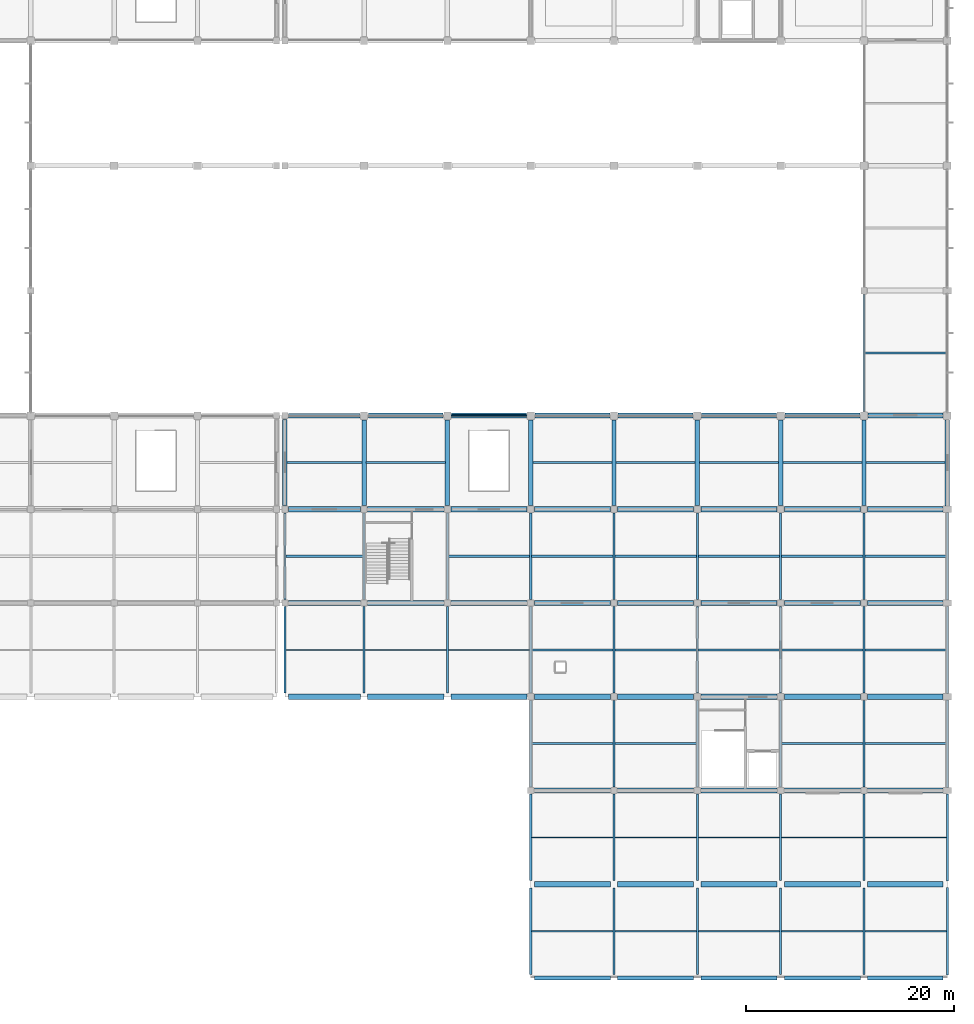
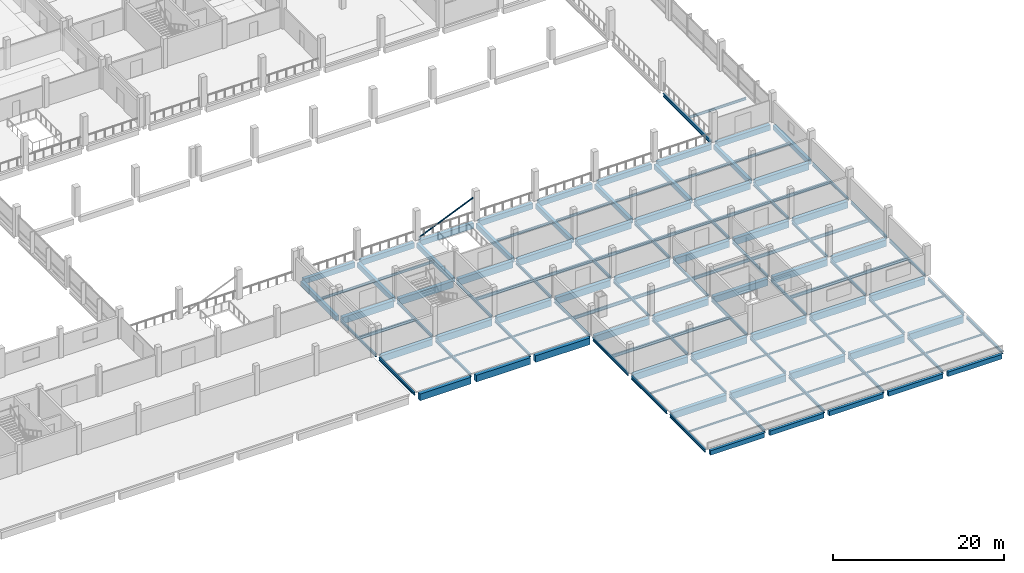
# One storey, part 24 of 57: 130 beams, 1 member.
"""IFC4 building model written with IfcOpenShell, lengths in metres."""

from ifc_helpers import new_model, si_unit, direction, frame, origin, origin_2d, place, context, subcontext, project, spatial, rectangle, hollow_circle, i_section, extrude, material, material_profile, profile_set, type_object, element, save


model = new_model("IFC4")

# Units and contexts
model_context = context("Model", 3, precision=1e-05, world=origin(), true_north=direction((0.0, 1.0)))
body_context = subcontext(model_context, "Body", "Model", "MODEL_VIEW")
ifc_project = project(units=[si_unit("LENGTHUNIT", "METRE"), si_unit("AREAUNIT", "SQUARE_METRE"), si_unit("VOLUMEUNIT", "CUBIC_METRE"), si_unit("PLANEANGLEUNIT", "RADIAN"), si_unit("MASSUNIT", "GRAM", prefix="KILO"), si_unit("THERMODYNAMICTEMPERATUREUNIT", "KELVIN"), si_unit("POWERUNIT", "WATT")], contexts=[model_context])

# Site, building, storey
site_placement = place(None, origin())
site = spatial("IfcSite", under=ifc_project, at=site_placement, CompositionType="ELEMENT")
building_placement = place(site_placement, origin())
building = spatial("IfcBuilding", under=site, at=building_placement, Name="Kronsvod Quay Wholesale Market", CompositionType="ELEMENT")
storey_placement = place(building_placement, frame((0.0, 0.0, 4.800048828125)))
storey = spatial("IfcBuildingStorey", under=building, at=storey_placement, Name="L01", CompositionType="ELEMENT", Elevation=4.800048828125)

# Beams
ifc_material_1 = material(Name="Precast concrete C40/50", Category="concrete")
ifc_material_profile_1 = material_profile(ifc_material_1, rectangle(XDim=0.419921875, YDim=0.679931640625, at=origin_2d()), Name="PB-05")
ifc_profile_set_1 = profile_set([ifc_material_profile_1], Name="Precast concrete C40/50")
beam_type_1 = type_object("IfcBeamType", Name="Beam_PCB420x680", PredefinedType="BEAM", material=ifc_profile_set_1)
beam_1_placement = place(storey_placement, frame((128.39990234375, 45.35009765625, -0.64013671875), z_axis=(0.0, 1.0, 0.0), x_axis=(-1.0, 0.0, 0.0)))
element("IfcBeam", 1, at=beam_1_placement, inside=storey, type_object=beam_type_1, Name="BMY-L01-1284-450", PredefinedType="BEAM", context=body_context, shape_type="SweptSolid", body=[
    extrude(rectangle(XDim=0.419921875, YDim=0.679931640625, at=origin_2d()), origin(), (0.0, 0.0, 1.0), 8.2998046875),
])
for number, where, z_axis, x_axis, name in (
    (2, (136.0, 45.35009765625, -0.64013671875), (0.0, 1.0, 0.0), (-1.0, 0.0, 0.0), "BMY-L01-1360-450"),
    (3, (144.0, 45.35009765625, -0.64013671875), (0.0, 1.0, 0.0), (-1.0, 0.0, 0.0), "BMY-L01-1440-450"),
    (4, (152.0, 45.35009765625, -0.64013671875), (0.0, 1.0, 0.0), (-1.0, 0.0, 0.0), "BMY-L01-1520-450"),
    (5, (160.0, 45.35009765625, -0.64013671875), (0.0, 1.0, 0.0), (-1.0, 0.0, 0.0), "BMY-L01-1600-450"),
    (6, (168.0, 45.35009765625, -0.64013671875), (0.0, 1.0, 0.0), (-1.0, 0.0, 0.0), "BMY-L01-1680-450"),
    (7, (176.0, 45.35009765625, -0.64013671875), (0.0, 1.0, 0.0), (-1.0, 0.0, 0.0), "BMY-L01-1760-450"),
    (8, (184.0, 45.35009765625, -0.64013671875), (0.0, 1.0, 0.0), (-1.0, 0.0, 0.0), "BMY-L01-1840-450"),
):
    element("IfcBeam", number, at=place(storey_placement, frame(where, z_axis=z_axis, x_axis=x_axis)), inside=storey, type_object=beam_type_1, Name=name, PredefinedType="BEAM", context=body_context, shape_type="SweptSolid", body=[
        extrude(rectangle(XDim=0.419921875, YDim=0.679931640625, at=origin_2d()), origin(), (0.0, 0.0, 1.0), 8.25),
    ])
beam_2_placement = place(storey_placement, frame((192.0, 45.31005859375, -0.64013671875), z_axis=(0.0, 1.0, 0.0), x_axis=(-1.0, 0.0, 0.0)))
element("IfcBeam", 9, at=beam_2_placement, inside=storey, type_object=beam_type_1, Name="BMY-L01-1920-450", PredefinedType="BEAM", context=body_context, shape_type="SweptSolid", body=[
    extrude(rectangle(XDim=0.419921875, YDim=0.679931640625, at=origin_2d()), origin(), (0.0, 0.0, 1.0), 8.2900390625),
])
ifc_material_2 = material(Name="Precast concrete C40/50", Category="concrete")
ifc_material_profile_2 = material_profile(ifc_material_2, rectangle(XDim=0.449951171875, YDim=0.75, at=origin_2d()), Name="PCB450x750")
ifc_profile_set_2 = profile_set([ifc_material_profile_2], Name="Precast concrete C40/50")
beam_type_2 = type_object("IfcBeamType", Name="Beam_PCB450x750", PredefinedType="BEAM", material=ifc_profile_set_2)
beam_3_placement = place(storey_placement, frame((128.75, 54.0, -0.675048828125), z_axis=(1.0, 0.0, 0.0), x_axis=(0.0, 1.0, 0.0)))
element("IfcBeam", 10, at=beam_3_placement, inside=storey, type_object=beam_type_2, Name="BMX-L01-1284-540", PredefinedType="BEAM", context=body_context, shape_type="SweptSolid", body=[
    extrude(rectangle(XDim=0.449951171875, YDim=0.75, at=origin_2d()), origin(), (0.0, 0.0, 1.0), 6.85009765625),
])
ifc_material_3 = material(Name="Precast concrete C40/50", Category="concrete")
ifc_material_profile_3 = material_profile(ifc_material_3, rectangle(XDim=0.4599609375, YDim=0.780029296875, at=origin_2d()), Name="PB-03")
ifc_profile_set_3 = profile_set([ifc_material_profile_3], Name="Precast concrete C40/50")
beam_type_3 = type_object("IfcBeamType", Name="Beam_PCB460x780", PredefinedType="BEAM", material=ifc_profile_set_3)
for number, where, z_axis, x_axis, name in (
    (11, (136.39990234375, 54.0, -0.68994140625), (1.0, 0.0, 0.0), (0.0, 1.0, 0.0), "BMX-L01-1360-540"),
    (12, (144.39990234375, 54.0, -0.68994140625), (1.0, 0.0, 0.0), (0.0, 1.0, 0.0), "BMX-L01-1440-540"),
    (13, (152.39990234375, 54.0, -0.68994140625), (1.0, 0.0, 0.0), (0.0, 1.0, 0.0), "BMX-L01-1520-540"),
    (14, (160.39990234375, 54.0, -0.68994140625), (1.0, 0.0, 0.0), (0.0, 1.0, 0.0), "BMX-L01-1600-540"),
    (15, (168.39990234375, 54.0, -0.68994140625), (1.0, 0.0, 0.0), (0.0, 1.0, 0.0), "BMX-L01-1680-540"),
    (16, (176.39990234375, 54.0, -0.68994140625), (1.0, 0.0, 0.0), (0.0, 1.0, 0.0), "BMX-L01-1760-540"),
    (17, (184.39990234375, 54.0, -0.68994140625), (1.0, 0.0, 0.0), (0.0, 1.0, 0.0), "BMX-L01-1840-540"),
):
    element("IfcBeam", number, at=place(storey_placement, frame(where, z_axis=z_axis, x_axis=x_axis)), inside=storey, type_object=beam_type_3, Name=name, PredefinedType="BEAM", context=body_context, shape_type="SweptSolid", body=[
        extrude(rectangle(XDim=0.4599609375, YDim=0.780029296875, at=origin_2d()), origin(), (0.0, 0.0, 1.0), 7.2001953125),
    ])
ifc_material_4 = material(Name="Steel S355", Category="steel")
ifc_material_profile_4 = material_profile(ifc_material_4, i_section(OverallWidth=0.125, OverallDepth=0.25, WebThickness=0.006103515625, FlangeThickness=0.009033203125, FilletRadius=0.011962890625, at=origin_2d()), Name="25B2")
ifc_profile_set_4 = profile_set([ifc_material_profile_4], Name="Steel S355")
beam_type_4 = type_object("IfcBeamType", Name="Beam_Steel25B2", PredefinedType="BEAM", material=ifc_profile_set_4)
beam_4_placement = place(storey_placement, frame((128.4951171875, 31.5, -0.31494140625), z_axis=(1.0, 0.0, 0.0), x_axis=(0.0, 1.0, 0.0)))
element("IfcBeam", 18, at=beam_4_placement, inside=storey, type_object=beam_type_4, Name="JSTX-L01-1284-270", PredefinedType="BEAM", context=body_context, shape_type="SweptSolid", body=[
    extrude(i_section(OverallWidth=0.125, OverallDepth=0.25, WebThickness=0.006103515625, FlangeThickness=0.009033203125, FilletRadius=0.011962890625, at=origin_2d()), origin(), (0.0, 0.0, 1.0), 7.409912109375),
])
for number, where, z_axis, x_axis, name in (
    (19, (136.094970703125, 31.5, -0.31494140625), (1.0, 0.0, 0.0), (0.0, 1.0, 0.0), "JSTX-L01-1360-270"),
    (20, (144.094970703125, 31.5, -0.31494140625), (1.0, 0.0, 0.0), (0.0, 1.0, 0.0), "JSTX-L01-1440-270"),
    (21, (152.094970703125, 4.5, -0.31494140625), (1.0, 0.0, 0.0), (0.0, 1.0, 0.0), "JSTX-L01-1520-0"),
    (22, (152.094970703125, 13.5, -0.31494140625), (1.0, 0.0, 0.0), (0.0, 1.0, 0.0), "JSTX-L01-1520-90"),
    (23, (160.094970703125, 4.5, -0.31494140625), (1.0, 0.0, 0.0), (0.0, 1.0, 0.0), "JSTX-L01-1600-0"),
    (24, (160.094970703125, 13.5, -0.31494140625), (1.0, 0.0, 0.0), (0.0, 1.0, 0.0), "JSTX-L01-1600-90"),
    (25, (168.094970703125, 4.5, -0.31494140625), (1.0, 0.0, 0.0), (0.0, 1.0, 0.0), "JSTX-L01-1680-0"),
    (26, (168.094970703125, 13.5, -0.31494140625), (1.0, 0.0, 0.0), (0.0, 1.0, 0.0), "JSTX-L01-1680-90"),
    (27, (176.094970703125, 4.5, -0.31494140625), (1.0, 0.0, 0.0), (0.0, 1.0, 0.0), "JSTX-L01-1760-0"),
    (28, (176.094970703125, 13.5, -0.31494140625), (1.0, 0.0, 0.0), (0.0, 1.0, 0.0), "JSTX-L01-1760-90"),
    (29, (184.094970703125, 4.5, -0.31494140625), (1.0, 0.0, 0.0), (0.0, 1.0, 0.0), "JSTX-L01-1840-0"),
    (30, (184.094970703125, 13.5, -0.31494140625), (1.0, 0.0, 0.0), (0.0, 1.0, 0.0), "JSTX-L01-1840-90"),
):
    element("IfcBeam", number, at=place(storey_placement, frame(where, z_axis=z_axis, x_axis=x_axis)), inside=storey, type_object=beam_type_4, Name=name, PredefinedType="BEAM", context=body_context, shape_type="SweptSolid", body=[
        extrude(i_section(OverallWidth=0.125, OverallDepth=0.25, WebThickness=0.006103515625, FlangeThickness=0.009033203125, FilletRadius=0.011962890625, at=origin_2d()), origin(), (0.0, 0.0, 1.0), 7.81005859375),
    ])
ifc_material_5 = material(Name="Steel S355", Category="steel")
ifc_material_profile_5 = material_profile(ifc_material_5, i_section(OverallWidth=0.199951171875, OverallDepth=0.39990234375, WebThickness=0.008056640625, FlangeThickness=0.012939453125, FilletRadius=0.01611328125, at=origin_2d()), Name="40B2")
ifc_profile_set_5 = profile_set([ifc_material_profile_5], Name="Steel S355")
beam_type_5 = type_object("IfcBeamType", Name="Beam_Steel40B2", PredefinedType="BEAM", material=ifc_profile_set_5)
for number, where, z_axis, x_axis, name in (
    (31, (128.39990234375, 27.35009765625, -0.5), (0.0, 1.0, 0.0), (-1.0, 0.0, 0.0), "BMY-L01-1284-270"),
    (32, (128.39990234375, 36.35009765625, -0.5), (0.0, 1.0, 0.0), (-1.0, 0.0, 0.0), "BMY-L01-1284-360"),
    (33, (136.0, 27.35009765625, -0.5), (0.0, 1.0, 0.0), (-1.0, 0.0, 0.0), "BMY-L01-1360-270"),
    (34, (136.0, 36.35009765625, -0.5), (0.0, 1.0, 0.0), (-1.0, 0.0, 0.0), "BMY-L01-1360-360"),
    (35, (144.0, 27.35009765625, -0.5), (0.0, 1.0, 0.0), (-1.0, 0.0, 0.0), "BMY-L01-1440-270"),
    (36, (144.0, 36.35009765625, -0.5), (0.0, 1.0, 0.0), (-1.0, 0.0, 0.0), "BMY-L01-1440-360"),
    (37, (152.0, 0.35009765625, -0.5), (0.0, 1.0, 0.0), (-1.0, 0.0, 0.0), "BMY-L01-1520-0"),
    (38, (152.0, 9.35009765625, -0.5), (0.0, 1.0, 0.0), (-1.0, 0.0, 0.0), "BMY-L01-1520-90"),
    (39, (152.0, 18.35009765625, -0.5), (0.0, 1.0, 0.0), (-1.0, 0.0, 0.0), "BMY-L01-1520-180"),
    (40, (152.0, 27.35009765625, -0.5), (0.0, 1.0, 0.0), (-1.0, 0.0, 0.0), "BMY-L01-1520-270"),
    (41, (152.0, 36.35009765625, -0.5), (0.0, 1.0, 0.0), (-1.0, 0.0, 0.0), "BMY-L01-1520-360"),
    (42, (160.0, 0.35009765625, -0.5), (0.0, 1.0, 0.0), (-1.0, 0.0, 0.0), "BMY-L01-1600-0"),
    (43, (160.0, 9.35009765625, -0.5), (0.0, 1.0, 0.0), (-1.0, 0.0, 0.0), "BMY-L01-1600-90"),
    (44, (160.0, 18.35009765625, -0.5), (0.0, 1.0, 0.0), (-1.0, 0.0, 0.0), "BMY-L01-1600-180"),
    (45, (160.0, 27.35009765625, -0.5), (0.0, 1.0, 0.0), (-1.0, 0.0, 0.0), "BMY-L01-1600-270"),
    (46, (160.0, 36.35009765625, -0.5), (0.0, 1.0, 0.0), (-1.0, 0.0, 0.0), "BMY-L01-1600-360"),
    (47, (168.0, 0.35009765625, -0.5), (0.0, 1.0, 0.0), (-1.0, 0.0, 0.0), "BMY-L01-1680-0"),
    (48, (168.0, 9.35009765625, -0.5), (0.0, 1.0, 0.0), (-1.0, 0.0, 0.0), "BMY-L01-1680-90"),
    (49, (168.0, 18.35009765625, -0.5), (0.0, 1.0, 0.0), (-1.0, 0.0, 0.0), "BMY-L01-1680-180"),
    (50, (168.0, 27.35009765625, -0.5), (0.0, 1.0, 0.0), (-1.0, 0.0, 0.0), "BMY-L01-1680-270"),
    (51, (168.0, 36.35009765625, -0.5), (0.0, 1.0, 0.0), (-1.0, 0.0, 0.0), "BMY-L01-1680-360"),
    (52, (176.0, 0.35009765625, -0.5), (0.0, 1.0, 0.0), (-1.0, 0.0, 0.0), "BMY-L01-1760-0"),
    (53, (176.0, 9.35009765625, -0.5), (0.0, 1.0, 0.0), (-1.0, 0.0, 0.0), "BMY-L01-1760-90"),
    (54, (176.0, 18.35009765625, -0.5), (0.0, 1.0, 0.0), (-1.0, 0.0, 0.0), "BMY-L01-1760-180"),
    (55, (176.0, 27.35009765625, -0.5), (0.0, 1.0, 0.0), (-1.0, 0.0, 0.0), "BMY-L01-1760-270"),
    (56, (176.0, 36.35009765625, -0.5), (0.0, 1.0, 0.0), (-1.0, 0.0, 0.0), "BMY-L01-1760-360"),
    (57, (184.0, 0.35009765625, -0.5), (0.0, 1.0, 0.0), (-1.0, 0.0, 0.0), "BMY-L01-1840-0"),
    (58, (184.0, 9.35009765625, -0.5), (0.0, 1.0, 0.0), (-1.0, 0.0, 0.0), "BMY-L01-1840-90"),
    (59, (184.0, 18.35009765625, -0.5), (0.0, 1.0, 0.0), (-1.0, 0.0, 0.0), "BMY-L01-1840-180"),
    (60, (184.0, 27.35009765625, -0.5), (0.0, 1.0, 0.0), (-1.0, 0.0, 0.0), "BMY-L01-1840-270"),
    (61, (184.0, 36.35009765625, -0.5), (0.0, 1.0, 0.0), (-1.0, 0.0, 0.0), "BMY-L01-1840-360"),
):
    element("IfcBeam", number, at=place(storey_placement, frame(where, z_axis=z_axis, x_axis=x_axis)), inside=storey, type_object=beam_type_5, Name=name, PredefinedType="BEAM", context=body_context, shape_type="SweptSolid", body=[
        extrude(i_section(OverallWidth=0.199951171875, OverallDepth=0.39990234375, WebThickness=0.008056640625, FlangeThickness=0.012939453125, FilletRadius=0.01611328125, at=origin_2d()), origin(), (0.0, 0.0, 1.0), 8.2998046875),
    ])
for number, where, z_axis, x_axis, name in (
    (62, (192.0, 0.31005859375, -0.5), (0.0, 1.0, 0.0), (-1.0, 0.0, 0.0), "BMY-L01-1920-0"),
    (63, (192.0, 9.31005859375, -0.5), (0.0, 1.0, 0.0), (-1.0, 0.0, 0.0), "BMY-L01-1920-90"),
    (64, (192.0, 18.31005859375, -0.5), (0.0, 1.0, 0.0), (-1.0, 0.0, 0.0), "BMY-L01-1920-180"),
    (65, (192.0, 27.31005859375, -0.5), (0.0, 1.0, 0.0), (-1.0, 0.0, 0.0), "BMY-L01-1920-270"),
    (66, (192.0, 36.31005859375, -0.5), (0.0, 1.0, 0.0), (-1.0, 0.0, 0.0), "BMY-L01-1920-360"),
):
    element("IfcBeam", number, at=place(storey_placement, frame(where, z_axis=z_axis, x_axis=x_axis)), inside=storey, type_object=beam_type_5, Name=name, PredefinedType="BEAM", context=body_context, shape_type="SweptSolid", body=[
        extrude(i_section(OverallWidth=0.199951171875, OverallDepth=0.39990234375, WebThickness=0.008056640625, FlangeThickness=0.012939453125, FilletRadius=0.01611328125, at=origin_2d()), origin(), (0.0, 0.0, 1.0), 8.3798828125),
    ])
ifc_material_6 = material(Name="Steel S355", Category="steel")
ifc_material_profile_6 = material_profile(ifc_material_6, i_section(OverallWidth=0.199951171875, OverallDepth=0.449951171875, WebThickness=0.009033203125, FlangeThickness=0.013916015625, FilletRadius=0.01806640625, at=origin_2d()), Name="45B2")
ifc_profile_set_6 = profile_set([ifc_material_profile_6], Name="Steel S355")
beam_type_6 = type_object("IfcBeamType", Name="Beam_Steel45B2", PredefinedType="BEAM", material=ifc_profile_set_6)
beam_5_placement = place(storey_placement, frame((128.4951171875, 40.5, -0.525146484375), z_axis=(1.0, 0.0, 0.0), x_axis=(0.0, 1.0, 0.0)))
element("IfcBeam", 67, at=beam_5_placement, inside=storey, type_object=beam_type_6, Name="JSTX-L01-1284-360", PredefinedType="BEAM", context=body_context, shape_type="SweptSolid", body=[
    extrude(i_section(OverallWidth=0.199951171875, OverallDepth=0.449951171875, WebThickness=0.009033203125, FlangeThickness=0.013916015625, FilletRadius=0.01806640625, at=origin_2d()), origin(), (0.0, 0.0, 1.0), 7.409912109375),
])
for number, where, z_axis, x_axis, name in (
    (68, (144.094970703125, 40.5, -0.525146484375), (1.0, 0.0, 0.0), (0.0, 1.0, 0.0), "JSTX-L01-1440-360"),
    (69, (152.094970703125, 22.5, -0.525146484375), (1.0, 0.0, 0.0), (0.0, 1.0, 0.0), "JSTX-L01-1520-180"),
    (70, (152.094970703125, 31.5, -0.525146484375), (1.0, 0.0, 0.0), (0.0, 1.0, 0.0), "JSTX-L01-1520-270"),
    (71, (152.094970703125, 40.5, -0.525146484375), (1.0, 0.0, 0.0), (0.0, 1.0, 0.0), "JSTX-L01-1520-360"),
    (72, (160.094970703125, 22.5, -0.525146484375), (1.0, 0.0, 0.0), (0.0, 1.0, 0.0), "JSTX-L01-1600-180"),
    (73, (160.094970703125, 31.5, -0.525146484375), (1.0, 0.0, 0.0), (0.0, 1.0, 0.0), "JSTX-L01-1600-270"),
    (74, (160.094970703125, 40.5, -0.525146484375), (1.0, 0.0, 0.0), (0.0, 1.0, 0.0), "JSTX-L01-1600-360"),
    (75, (168.094970703125, 31.5, -0.525146484375), (1.0, 0.0, 0.0), (0.0, 1.0, 0.0), "JSTX-L01-1680-270"),
    (76, (168.094970703125, 40.5, -0.525146484375), (1.0, 0.0, 0.0), (0.0, 1.0, 0.0), "JSTX-L01-1680-360"),
    (77, (176.094970703125, 22.5, -0.525146484375), (1.0, 0.0, 0.0), (0.0, 1.0, 0.0), "JSTX-L01-1760-180"),
    (78, (176.094970703125, 31.5, -0.525146484375), (1.0, 0.0, 0.0), (0.0, 1.0, 0.0), "JSTX-L01-1760-270"),
    (79, (176.094970703125, 40.5, -0.525146484375), (1.0, 0.0, 0.0), (0.0, 1.0, 0.0), "JSTX-L01-1760-360"),
    (80, (184.094970703125, 22.5, -0.525146484375), (1.0, 0.0, 0.0), (0.0, 1.0, 0.0), "JSTX-L01-1840-180"),
    (81, (184.094970703125, 31.5, -0.525146484375), (1.0, 0.0, 0.0), (0.0, 1.0, 0.0), "JSTX-L01-1840-270"),
    (82, (184.094970703125, 40.5, -0.525146484375), (1.0, 0.0, 0.0), (0.0, 1.0, 0.0), "JSTX-L01-1840-360"),
):
    element("IfcBeam", number, at=place(storey_placement, frame(where, z_axis=z_axis, x_axis=x_axis)), inside=storey, type_object=beam_type_6, Name=name, PredefinedType="BEAM", context=body_context, shape_type="SweptSolid", body=[
        extrude(i_section(OverallWidth=0.199951171875, OverallDepth=0.449951171875, WebThickness=0.009033203125, FlangeThickness=0.013916015625, FilletRadius=0.01806640625, at=origin_2d()), origin(), (0.0, 0.0, 1.0), 7.81005859375),
    ])
ifc_material_7 = material(Name="Precast concrete C40/50", Category="concrete")
ifc_material_profile_7 = material_profile(ifc_material_7, rectangle(XDim=0.5, YDim=0.949951171875, at=origin_2d()), Name="PCB500x950")
ifc_profile_set_7 = profile_set([ifc_material_profile_7], Name="Precast concrete C40/50")
beam_type_7 = type_object("IfcBeamType", Name="Girder_PCB500x950", PredefinedType="T_BEAM", material=ifc_profile_set_7)
for number, where, z_axis, x_axis, name in (
    (83, (152.35009765625, 9.0, -0.775146484375), (1.0, 0.0, 0.0), (0.0, 1.0, 0.0), "BMX-L01-1520-90"),
    (84, (160.35009765625, 9.0, -0.775146484375), (1.0, 0.0, 0.0), (0.0, 1.0, 0.0), "BMX-L01-1600-90"),
    (85, (168.35009765625, 9.0, -0.775146484375), (1.0, 0.0, 0.0), (0.0, 1.0, 0.0), "BMX-L01-1680-90"),
    (86, (176.35009765625, 9.0, -0.775146484375), (1.0, 0.0, 0.0), (0.0, 1.0, 0.0), "BMX-L01-1760-90"),
):
    element("IfcBeam", number, at=place(storey_placement, frame(where, z_axis=z_axis, x_axis=x_axis)), inside=storey, type_object=beam_type_7, Name=name, PredefinedType="T_BEAM", context=body_context, shape_type="SweptSolid", body=[
        extrude(rectangle(XDim=0.5, YDim=0.949951171875, at=origin_2d()), origin(), (0.0, 0.0, 1.0), 7.2998046875),
    ])
beam_6_placement = place(storey_placement, frame((184.35009765625, 9.0, -0.775146484375), z_axis=(1.0, 0.0, 0.0), x_axis=(0.0, 1.0, 0.0)))
element("IfcBeam", 87, at=beam_6_placement, inside=storey, type_object=beam_type_7, Name="BMX-L01-1840-90", PredefinedType="T_BEAM", context=body_context, shape_type="SweptSolid", body=[
    extrude(rectangle(XDim=0.5, YDim=0.949951171875, at=origin_2d()), origin(), (0.0, 0.0, 1.0), 7.239990234375),
])
for number, where, z_axis, x_axis, name in (
    (88, (152.35009765625, 18.0, -0.775146484375), (1.0, 0.0, 0.0), (0.0, 1.0, 0.0), "BMX-L01-1520-180"),
    (89, (160.35009765625, 18.0, -0.775146484375), (1.0, 0.0, 0.0), (0.0, 1.0, 0.0), "BMX-L01-1600-180"),
    (90, (168.35009765625, 18.0, -0.775146484375), (1.0, 0.0, 0.0), (0.0, 1.0, 0.0), "BMX-L01-1680-180"),
    (91, (176.35009765625, 18.0, -0.775146484375), (1.0, 0.0, 0.0), (0.0, 1.0, 0.0), "BMX-L01-1760-180"),
):
    element("IfcBeam", number, at=place(storey_placement, frame(where, z_axis=z_axis, x_axis=x_axis)), inside=storey, type_object=beam_type_7, Name=name, PredefinedType="T_BEAM", context=body_context, shape_type="SweptSolid", body=[
        extrude(rectangle(XDim=0.5, YDim=0.949951171875, at=origin_2d()), origin(), (0.0, 0.0, 1.0), 7.2998046875),
    ])
beam_7_placement = place(storey_placement, frame((184.35009765625, 18.0, -0.775146484375), z_axis=(1.0, 0.0, 0.0), x_axis=(0.0, 1.0, 0.0)))
element("IfcBeam", 92, at=beam_7_placement, inside=storey, type_object=beam_type_7, Name="BMX-L01-1840-180", PredefinedType="T_BEAM", context=body_context, shape_type="SweptSolid", body=[
    extrude(rectangle(XDim=0.5, YDim=0.949951171875, at=origin_2d()), origin(), (0.0, 0.0, 1.0), 7.239990234375),
])
beam_8_placement = place(storey_placement, frame((128.75, 27.0, -0.775146484375), z_axis=(1.0, 0.0, 0.0), x_axis=(0.0, 1.0, 0.0)))
element("IfcBeam", 93, at=beam_8_placement, inside=storey, type_object=beam_type_7, Name="BMX-L01-1284-270", PredefinedType="T_BEAM", context=body_context, shape_type="SweptSolid", body=[
    extrude(rectangle(XDim=0.5, YDim=0.949951171875, at=origin_2d()), origin(), (0.0, 0.0, 1.0), 6.89990234375),
])
for number, where, z_axis, x_axis, name in (
    (94, (136.35009765625, 27.0, -0.775146484375), (1.0, 0.0, 0.0), (0.0, 1.0, 0.0), "BMX-L01-1360-270"),
    (95, (144.35009765625, 27.0, -0.775146484375), (1.0, 0.0, 0.0), (0.0, 1.0, 0.0), "BMX-L01-1440-270"),
    (96, (152.35009765625, 27.0, -0.775146484375), (1.0, 0.0, 0.0), (0.0, 1.0, 0.0), "BMX-L01-1520-270"),
    (97, (160.35009765625, 27.0, -0.775146484375), (1.0, 0.0, 0.0), (0.0, 1.0, 0.0), "BMX-L01-1600-270"),
    (98, (168.35009765625, 27.0, -0.775146484375), (1.0, 0.0, 0.0), (0.0, 1.0, 0.0), "BMX-L01-1680-270"),
    (99, (176.35009765625, 27.0, -0.775146484375), (1.0, 0.0, 0.0), (0.0, 1.0, 0.0), "BMX-L01-1760-270"),
):
    element("IfcBeam", number, at=place(storey_placement, frame(where, z_axis=z_axis, x_axis=x_axis)), inside=storey, type_object=beam_type_7, Name=name, PredefinedType="T_BEAM", context=body_context, shape_type="SweptSolid", body=[
        extrude(rectangle(XDim=0.5, YDim=0.949951171875, at=origin_2d()), origin(), (0.0, 0.0, 1.0), 7.2998046875),
    ])
beam_9_placement = place(storey_placement, frame((184.35009765625, 27.0, -0.775146484375), z_axis=(1.0, 0.0, 0.0), x_axis=(0.0, 1.0, 0.0)))
element("IfcBeam", 100, at=beam_9_placement, inside=storey, type_object=beam_type_7, Name="BMX-L01-1840-270", PredefinedType="T_BEAM", context=body_context, shape_type="SweptSolid", body=[
    extrude(rectangle(XDim=0.5, YDim=0.949951171875, at=origin_2d()), origin(), (0.0, 0.0, 1.0), 7.239990234375),
])
beam_10_placement = place(storey_placement, frame((128.75, 36.0, -0.775146484375), z_axis=(1.0, 0.0, 0.0), x_axis=(0.0, 1.0, 0.0)))
element("IfcBeam", 101, at=beam_10_placement, inside=storey, type_object=beam_type_7, Name="BMX-L01-1284-360", PredefinedType="T_BEAM", context=body_context, shape_type="SweptSolid", body=[
    extrude(rectangle(XDim=0.5, YDim=0.949951171875, at=origin_2d()), origin(), (0.0, 0.0, 1.0), 6.89990234375),
])
for number, where, z_axis, x_axis, name in (
    (102, (136.35009765625, 36.0, -0.775146484375), (1.0, 0.0, 0.0), (0.0, 1.0, 0.0), "BMX-L01-1360-360"),
    (103, (144.35009765625, 36.0, -0.775146484375), (1.0, 0.0, 0.0), (0.0, 1.0, 0.0), "BMX-L01-1440-360"),
    (104, (152.35009765625, 36.0, -0.775146484375), (1.0, 0.0, 0.0), (0.0, 1.0, 0.0), "BMX-L01-1520-360"),
    (105, (160.35009765625, 36.0, -0.775146484375), (1.0, 0.0, 0.0), (0.0, 1.0, 0.0), "BMX-L01-1600-360"),
    (106, (168.35009765625, 36.0, -0.775146484375), (1.0, 0.0, 0.0), (0.0, 1.0, 0.0), "BMX-L01-1680-360"),
    (107, (176.35009765625, 36.0, -0.775146484375), (1.0, 0.0, 0.0), (0.0, 1.0, 0.0), "BMX-L01-1760-360"),
):
    element("IfcBeam", number, at=place(storey_placement, frame(where, z_axis=z_axis, x_axis=x_axis)), inside=storey, type_object=beam_type_7, Name=name, PredefinedType="T_BEAM", context=body_context, shape_type="SweptSolid", body=[
        extrude(rectangle(XDim=0.5, YDim=0.949951171875, at=origin_2d()), origin(), (0.0, 0.0, 1.0), 7.2998046875),
    ])
beam_11_placement = place(storey_placement, frame((184.35009765625, 36.0, -0.775146484375), z_axis=(1.0, 0.0, 0.0), x_axis=(0.0, 1.0, 0.0)))
element("IfcBeam", 108, at=beam_11_placement, inside=storey, type_object=beam_type_7, Name="BMX-L01-1840-360", PredefinedType="T_BEAM", context=body_context, shape_type="SweptSolid", body=[
    extrude(rectangle(XDim=0.5, YDim=0.949951171875, at=origin_2d()), origin(), (0.0, 0.0, 1.0), 7.239990234375),
])
beam_12_placement = place(storey_placement, frame((128.75, 45.0, -0.775146484375), z_axis=(1.0, 0.0, 0.0), x_axis=(0.0, 1.0, 0.0)))
element("IfcBeam", 109, at=beam_12_placement, inside=storey, type_object=beam_type_7, Name="BMX-L01-1284-450", PredefinedType="T_BEAM", context=body_context, shape_type="SweptSolid", body=[
    extrude(rectangle(XDim=0.5, YDim=0.949951171875, at=origin_2d()), origin(), (0.0, 0.0, 1.0), 6.89990234375),
])
for number, where, z_axis, x_axis, name in (
    (110, (136.35009765625, 45.0, -0.775146484375), (1.0, 0.0, 0.0), (0.0, 1.0, 0.0), "BMX-L01-1360-450"),
    (111, (144.35009765625, 45.0, -0.775146484375), (1.0, 0.0, 0.0), (0.0, 1.0, 0.0), "BMX-L01-1440-450"),
    (112, (152.35009765625, 45.0, -0.775146484375), (1.0, 0.0, 0.0), (0.0, 1.0, 0.0), "BMX-L01-1520-450"),
    (113, (160.35009765625, 45.0, -0.775146484375), (1.0, 0.0, 0.0), (0.0, 1.0, 0.0), "BMX-L01-1600-450"),
    (114, (168.35009765625, 45.0, -0.775146484375), (1.0, 0.0, 0.0), (0.0, 1.0, 0.0), "BMX-L01-1680-450"),
    (115, (176.35009765625, 45.0, -0.775146484375), (1.0, 0.0, 0.0), (0.0, 1.0, 0.0), "BMX-L01-1760-450"),
):
    element("IfcBeam", number, at=place(storey_placement, frame(where, z_axis=z_axis, x_axis=x_axis)), inside=storey, type_object=beam_type_7, Name=name, PredefinedType="T_BEAM", context=body_context, shape_type="SweptSolid", body=[
        extrude(rectangle(XDim=0.5, YDim=0.949951171875, at=origin_2d()), origin(), (0.0, 0.0, 1.0), 7.2998046875),
    ])
beam_13_placement = place(storey_placement, frame((184.35009765625, 45.0, -0.775146484375), z_axis=(1.0, 0.0, 0.0), x_axis=(0.0, 1.0, 0.0)))
element("IfcBeam", 116, at=beam_13_placement, inside=storey, type_object=beam_type_7, Name="BMX-L01-1840-450", PredefinedType="T_BEAM", context=body_context, shape_type="SweptSolid", body=[
    extrude(rectangle(XDim=0.5, YDim=0.949951171875, at=origin_2d()), origin(), (0.0, 0.0, 1.0), 7.239990234375),
])
ifc_material_8 = material(Name="Steel S355", Category="steel")
ifc_material_profile_8 = material_profile(ifc_material_8, i_section(OverallWidth=0.198974609375, OverallDepth=0.49609375, WebThickness=0.009033203125, FlangeThickness=0.013916015625, FilletRadius=0.02001953125, at=origin_2d()), Name="50B1")
ifc_profile_set_8 = profile_set([ifc_material_profile_8], Name="Steel S355")
beam_type_8 = type_object("IfcBeamType", Name="Girder_Steel50B1", PredefinedType="T_BEAM", material=ifc_profile_set_8)
beam_14_placement = place(storey_placement, frame((184.0, 54.39990234375, -0.548095703125), z_axis=(0.0, 1.0, 0.0), x_axis=(-1.0, 0.0, 0.0)))
element("IfcBeam", 117, at=beam_14_placement, inside=storey, type_object=beam_type_8, Name="BMY-L01-1840-540", PredefinedType="T_BEAM", context=body_context, shape_type="SweptSolid", body=[
    extrude(i_section(OverallWidth=0.198974609375, OverallDepth=0.49609375, WebThickness=0.009033203125, FlangeThickness=0.013916015625, FilletRadius=0.02001953125, at=origin_2d()), origin(), (0.0, 0.0, 1.0), 11.25),
])
ifc_material_9 = material(Name="Steel S355", Category="steel")
ifc_material_profile_9 = material_profile(ifc_material_9, i_section(OverallWidth=0.175048828125, OverallDepth=0.35009765625, WebThickness=0.007080078125, FlangeThickness=0.010986328125, FilletRadius=0.013916015625, at=origin_2d()), Name="35B2")
ifc_profile_set_9 = profile_set([ifc_material_profile_9], Name="Steel S355")
beam_type_9 = type_object("IfcBeamType", Name="Joist_Steel35B2", PredefinedType="JOIST", material=ifc_profile_set_9)
beam_15_placement = place(storey_placement, frame((128.60498046875, 49.5, -0.405029296875), z_axis=(1.0, 0.0, 0.0), x_axis=(0.0, 1.0, 0.0)))
element("IfcBeam", 118, at=beam_15_placement, inside=storey, type_object=beam_type_9, Name="JSTX-L01-1284-450", PredefinedType="JOIST", context=body_context, shape_type="SweptSolid", body=[
    extrude(i_section(OverallWidth=0.175048828125, OverallDepth=0.35009765625, WebThickness=0.007080078125, FlangeThickness=0.010986328125, FilletRadius=0.013916015625, at=origin_2d()), origin(), (0.0, 0.0, 1.0), 7.18994140625),
])
for number, where, z_axis, x_axis, name in (
    (119, (136.205078125, 49.5, -0.405029296875), (1.0, 0.0, 0.0), (0.0, 1.0, 0.0), "JSTX-L01-1360-450"),
    (120, (152.205078125, 49.5, -0.405029296875), (1.0, 0.0, 0.0), (0.0, 1.0, 0.0), "JSTX-L01-1520-450"),
    (121, (160.205078125, 49.5, -0.405029296875), (1.0, 0.0, 0.0), (0.0, 1.0, 0.0), "JSTX-L01-1600-450"),
    (122, (168.205078125, 49.5, -0.405029296875), (1.0, 0.0, 0.0), (0.0, 1.0, 0.0), "JSTX-L01-1680-450"),
    (123, (176.205078125, 49.5, -0.405029296875), (1.0, 0.0, 0.0), (0.0, 1.0, 0.0), "JSTX-L01-1760-450"),
    (124, (184.205078125, 49.5, -0.405029296875), (1.0, 0.0, 0.0), (0.0, 1.0, 0.0), "JSTX-L01-1840-450"),
):
    element("IfcBeam", number, at=place(storey_placement, frame(where, z_axis=z_axis, x_axis=x_axis)), inside=storey, type_object=beam_type_9, Name=name, PredefinedType="JOIST", context=body_context, shape_type="SweptSolid", body=[
        extrude(i_section(OverallWidth=0.175048828125, OverallDepth=0.35009765625, WebThickness=0.007080078125, FlangeThickness=0.010986328125, FilletRadius=0.013916015625, at=origin_2d()), origin(), (0.0, 0.0, 1.0), 7.58984375),
    ])
beam_16_placement = place(storey_placement, frame((184.094482421875, 60.0, -0.425048828125), z_axis=(1.0, 0.0, 0.0), x_axis=(0.0, 1.0, 0.0)))
element("IfcBeam", 125, at=beam_16_placement, inside=storey, type_object=beam_type_9, Name="JSTX-L01-1840-540", PredefinedType="JOIST", context=body_context, shape_type="SweptSolid", body=[
    extrude(i_section(OverallWidth=0.175048828125, OverallDepth=0.35009765625, WebThickness=0.007080078125, FlangeThickness=0.010986328125, FilletRadius=0.013916015625, at=origin_2d()), origin(), (0.0, 0.0, 1.0), 7.81103515625),
])

# Member
ifc_material_10 = material(Name="Steel S355", Category="steel")
ifc_material_profile_10 = material_profile(ifc_material_10, hollow_circle(Radius=0.096923828125, WallThickness=0.008056640625, at=origin_2d()), Name="CHS194x8")
ifc_profile_set_10 = profile_set([ifc_material_profile_10], Name="Steel S355")
member_type = type_object("IfcMemberType", Name="Member_Brace194x8", PredefinedType="BRACE", material=ifc_profile_set_10)
member_placement = place(storey_placement, frame((144.340087890625, 54.0, 0.050048828125), z_axis=(0.919925623213, 0.0, 0.392092907046), x_axis=(0.0, 1.0, 0.0)))
element("IfcMember", 126, at=member_placement, inside=storey, type_object=member_type, Name="BRCG-L01-1440-540-A", PredefinedType="BRACE", context=body_context, shape_type="SweptSolid", body=[
    extrude(hollow_circle(Radius=0.096923828125, WallThickness=0.008056640625, at=origin_2d()), origin(), (0.0, 0.0, 1.0), 7.95703125),
])

# Beams
ifc_material_11 = material(Name="Precast concrete C40/50", Category="concrete")
ifc_material_profile_11 = material_profile(ifc_material_11, rectangle(XDim=0.3798828125, YDim=0.64990234375, at=origin_2d()), Name="SPB-03")
ifc_profile_set_11 = profile_set([ifc_material_profile_11], Name="Precast concrete C40/50")
beam_type_10 = type_object("IfcBeamType", Name="Spandrel_PCSP380x650", PredefinedType="SPANDREL", material=ifc_profile_set_11)
for number, where, z_axis, x_axis, name in (
    (127, (152.35009765625, 0.0, -0.625), (1.0, 0.0, 0.0), (0.0, 1.0, 0.0), "BMX-L01-1520-0"),
    (128, (160.35009765625, 0.0, -0.625), (1.0, 0.0, 0.0), (0.0, 1.0, 0.0), "BMX-L01-1600-0"),
    (129, (168.35009765625, 0.0, -0.625), (1.0, 0.0, 0.0), (0.0, 1.0, 0.0), "BMX-L01-1680-0"),
    (130, (176.35009765625, 0.0, -0.625), (1.0, 0.0, 0.0), (0.0, 1.0, 0.0), "BMX-L01-1760-0"),
):
    element("IfcBeam", number, at=place(storey_placement, frame(where, z_axis=z_axis, x_axis=x_axis)), inside=storey, type_object=beam_type_10, Name=name, PredefinedType="SPANDREL", context=body_context, shape_type="SweptSolid", body=[
        extrude(rectangle(XDim=0.3798828125, YDim=0.64990234375, at=origin_2d()), origin(), (0.0, 0.0, 1.0), 7.2998046875),
    ])
beam_17_placement = place(storey_placement, frame((184.35009765625, 0.0, -0.625), z_axis=(1.0, 0.0, 0.0), x_axis=(0.0, 1.0, 0.0)))
element("IfcBeam", 131, at=beam_17_placement, inside=storey, type_object=beam_type_10, Name="BMX-L01-1840-0", PredefinedType="SPANDREL", context=body_context, shape_type="SweptSolid", body=[
    extrude(rectangle(XDim=0.3798828125, YDim=0.64990234375, at=origin_2d()), origin(), (0.0, 0.0, 1.0), 7.239990234375),
])

save(model, "model.ifc")
